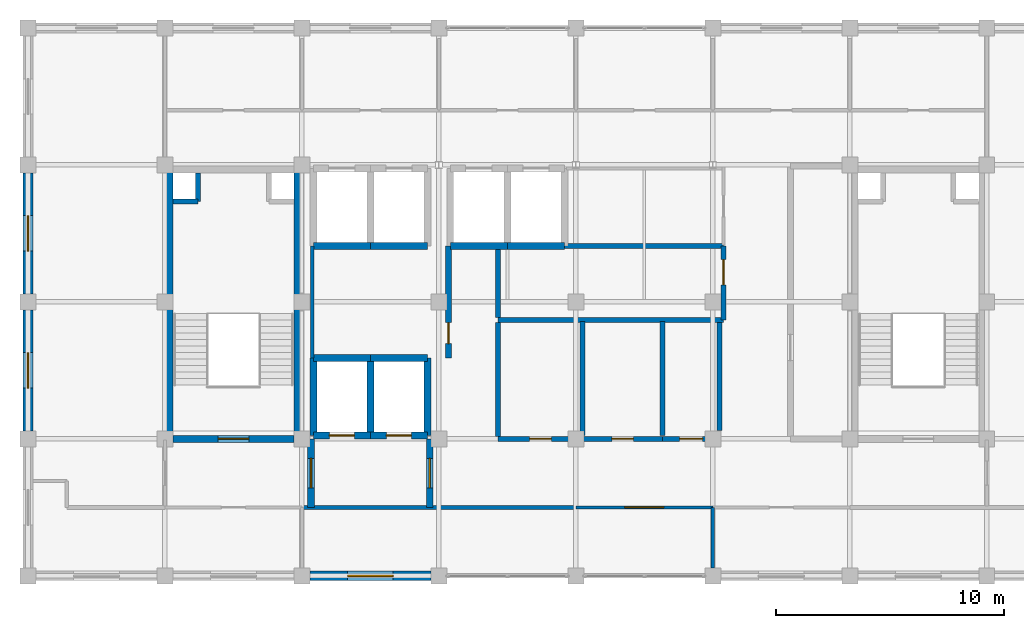
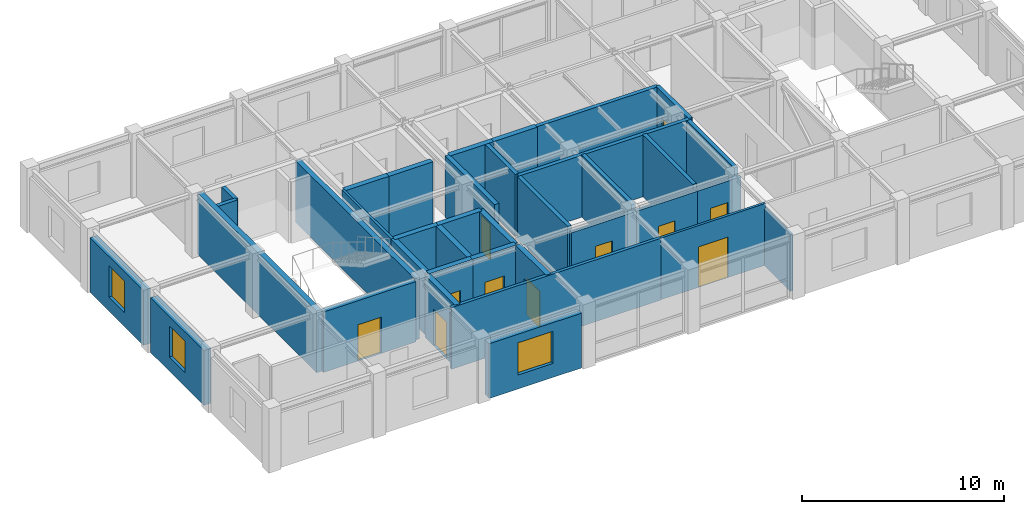
# One storey, part 8 of 11: 37 walls, 11 doors, 3 windows, 14 openings.
"""IFC4 building model written with IfcOpenShell, lengths in metres."""

import ifcopenshell
import ifcopenshell.guid

model = None  # the IFC model being written
_history = None  # IfcOwnerHistory: only IFC2X3 demands one
_inside = {}  # id of a spatial element -> (the spatial element, [elements in it])
_under = {}  # id of a project, library or spatial element -> (it, [spatial elements below it])
_declared = {}  # id of a project -> (the project, [libraries it declares])
_typed = {}  # id of a type object -> (the type object, [elements of that type])
_made_of = {}  # id of a material, layer set ... -> (it, [elements and type objects made of it])


def new_model(schema):
    """Start an empty IFC model of exactly this schema.

    Asked for "IFC4X3", IfcOpenShell would pick the latest addendum, in which some entities
    have other attributes; the version numbers below select the first issue.
    IFC2X3 requires an IfcOwnerHistory on every rooted entity: one is made here for all.
    """
    global model, _history
    if schema == "IFC4X3":
        model = ifcopenshell.file(schema_version=(4, 3, 0, 0))
    else:
        model = ifcopenshell.file(schema=schema)
    _inside.clear()
    _under.clear()
    _declared.clear()
    _typed.clear()
    _made_of.clear()
    _history = None
    if model.schema == "IFC2X3":
        org = make("IfcOrganization", Name="unknown")
        user = make(
            "IfcPersonAndOrganization",
            ThePerson=make("IfcPerson", FamilyName="unknown"),
            TheOrganization=org,
        )
        app = make(
            "IfcApplication",
            ApplicationDeveloper=org,
            Version="unknown",
            ApplicationFullName="unknown",
            ApplicationIdentifier="unknown",
        )
        _history = make(
            "IfcOwnerHistory",
            OwningUser=user,
            OwningApplication=app,
            ChangeAction="ADDED",
            CreationDate=0,
        )
    return model


def make(cls, **values):
    """One entity of the class cls with the attributes given. An attribute that is None is left unset."""
    return model.create_entity(
        cls, **{name: value for name, value in values.items() if value is not None}
    )


def rooted(cls, **values):
    """An entity with a GlobalId (a new one), such as an element, a storey or a relation."""
    return make(cls, GlobalId=ifcopenshell.guid.new(), OwnerHistory=_history, **values)


def si_unit(unit_type, name, prefix=None):
    """IfcSIUnit, for example si_unit("LENGTHUNIT", "METRE", prefix="MILLI")."""
    return make("IfcSIUnit", UnitType=unit_type, Prefix=prefix, Name=name)


def assignment(units):
    """IfcUnitAssignment: the units of a project."""
    return None if units is None else make("IfcUnitAssignment", Units=units)


def point(xyz):
    """IfcCartesianPoint."""
    return None if xyz is None else make("IfcCartesianPoint", Coordinates=xyz)


def direction(xyz):
    """IfcDirection."""
    return None if xyz is None else make("IfcDirection", DirectionRatios=xyz)


def frame(location, z_axis=None, x_axis=None):
    """IfcAxis2Placement3D, a coordinate frame: its origin and axes. An axis left out is left unset."""
    return make(
        "IfcAxis2Placement3D",
        Location=point(location),
        Axis=direction(z_axis),
        RefDirection=direction(x_axis),
    )


def frame_2d(location, x_axis=None):
    """IfcAxis2Placement2D, a coordinate frame in the plane: its origin and x axis."""
    return make(
        "IfcAxis2Placement2D", Location=point(location), RefDirection=direction(x_axis)
    )


def origin():
    """The frame at (0, 0, 0) with its axes left unset."""
    return frame((0.0, 0.0, 0.0))


def place(relative_to, where):
    """IfcLocalPlacement: puts the frame where relative to a parent placement (None: the world)."""
    return make(
        "IfcLocalPlacement", PlacementRelTo=relative_to, RelativePlacement=where
    )


def context(
    kind, dimensions, precision=None, world=None, true_north=None, identifier=None
):
    """IfcGeometricRepresentationContext, for example the 3D "Model" context."""
    return make(
        "IfcGeometricRepresentationContext",
        ContextIdentifier=identifier,
        ContextType=kind,
        CoordinateSpaceDimension=dimensions,
        Precision=precision,
        WorldCoordinateSystem=world,
        TrueNorth=true_north,
    )


def subcontext(parent, identifier, kind, view, scale=None):
    """IfcGeometricRepresentationSubContext, for example "Body" below "Model"."""
    return make(
        "IfcGeometricRepresentationSubContext",
        ContextIdentifier=identifier,
        ContextType=kind,
        ParentContext=parent,
        TargetScale=scale,
        TargetView=view,
    )


def project(units=None, contexts=None):
    """IfcProject with its units and contexts."""
    return rooted(
        "IfcProject",
        Name="project",
        RepresentationContexts=contexts,
        UnitsInContext=assignment(units),
    )


def spatial(cls, under=None, at=None, **own):
    """A site, building, storey or space (cls), placed at a placement, below another one or the project."""
    s = rooted(cls, ObjectPlacement=at, **own)
    if under is not None:
        _under.setdefault(under.id(), (under, []))[1].append(s)
    return s


def profile(cls, at=None, kind="AREA", **sizes):
    """A parametric profile (cls). Its sizes go by their IFC names, for example OverallWidth=200.0."""
    return make(cls, ProfileType=kind, Position=at, **sizes)


def rectangle(**sizes):
    """IfcRectangleProfileDef."""
    return profile("IfcRectangleProfileDef", **sizes)


def extrude(swept, where, along, depth):
    """IfcExtrudedAreaSolid: the profile swept, set in the frame where, extruded along a direction by depth."""
    return make(
        "IfcExtrudedAreaSolid",
        SweptArea=swept,
        Position=where,
        ExtrudedDirection=direction(along),
        Depth=depth,
    )


def shape(context_of_items, identifier, shape_type, items):
    """IfcShapeRepresentation: the items that make up one representation, for example the "Body"."""
    return make(
        "IfcShapeRepresentation",
        ContextOfItems=context_of_items,
        RepresentationIdentifier=identifier,
        RepresentationType=shape_type,
        Items=items,
    )


def material(Name=None, Category=None):
    """IfcMaterial."""
    return make("IfcMaterial", Name=Name, Category=Category)


def layer(
    of_material, thickness, ventilated=None, Name=None, Category=None, Priority=None
):
    """IfcMaterialLayer: one layer of a wall or slab, of a material (None: an air gap)."""
    return make(
        "IfcMaterialLayer",
        Material=of_material,
        LayerThickness=thickness,
        IsVentilated=ventilated,
        Name=Name,
        Category=Category,
        Priority=Priority,
    )


def layer_set(layers, Name=None):
    """IfcMaterialLayerSet."""
    return make("IfcMaterialLayerSet", MaterialLayers=layers, LayerSetName=Name)


def made_of(thing, what):
    """Note that an element or type object is made of a material, layer set ...; save() writes the relation."""
    if what is not None:
        _made_of.setdefault(what.id(), (what, []))[1].append(thing)
    return thing


def type_object(cls, material=None, **own):
    """A type object (cls), such as IfcWallType, which elements share."""
    return made_of(rooted(cls, **own), material)


def element(
    cls,
    number,
    at=None,
    inside=None,
    cuts=None,
    type_object=None,
    material=None,
    context=None,
    identifier="Body",
    shape_type=None,
    held_by="IfcProductDefinitionShape",
    body=None,
    shapes=None,
    **own,
):
    """One element of the class cls, such as IfcWall. Its Tag is "e" and its number.

    at: its placement. inside: the storey or other place that contains it. cuts: it is an
    opening in that element (IfcRelVoidsElement). A single representation is given by context,
    identifier, shape_type and body (its items); several are given by shapes. held_by: the class
    of the entity that holds the representations. save() writes the other relations.
    """
    e = rooted(cls, Tag="e%d" % number, ObjectPlacement=at, **own)
    if body is not None:
        shapes = [shape(context, identifier, shape_type, body)]
    if shapes is not None:
        e.Representation = make(held_by, Representations=shapes)
    if inside is not None:
        _inside.setdefault(inside.id(), (inside, []))[1].append(e)
    if cuts is not None:
        rooted(
            "IfcRelVoidsElement", RelatingBuildingElement=cuts, RelatedOpeningElement=e
        )
    if type_object is not None:
        _typed.setdefault(type_object.id(), (type_object, []))[1].append(e)
    return made_of(e, material)


def fill(opening, filler):
    """IfcRelFillsElement: the door or window that sits in an opening."""
    return rooted(
        "IfcRelFillsElement",
        RelatingOpeningElement=opening,
        RelatedBuildingElement=filler,
    )


def aggregate(whole, parts):
    """IfcRelAggregates: a whole, such as a stair, and the parts it consists of."""
    return rooted("IfcRelAggregates", RelatingObject=whole, RelatedObjects=parts)


def save(model, path):
    """Write the relations noted so far, then the file.

    IfcRelAggregates (storeys below a building ...), IfcRelContainedInSpatialStructure (elements
    in a storey), IfcRelDefinesByType, IfcRelAssociatesMaterial and IfcRelDeclares: one each for
    every whole, place, type object, material and project.
    """
    for whole, parts in _under.values():
        aggregate(whole, parts)
    for where, things in _inside.values():
        rooted(
            "IfcRelContainedInSpatialStructure",
            RelatedElements=things,
            RelatingStructure=where,
        )
    for kind, things in _typed.values():
        rooted("IfcRelDefinesByType", RelatedObjects=things, RelatingType=kind)
    for what, things in _made_of.values():
        rooted("IfcRelAssociatesMaterial", RelatedObjects=things, RelatingMaterial=what)
    for by, libraries in _declared.values():
        rooted("IfcRelDeclares", RelatingContext=by, RelatedDefinitions=libraries)
    model.write(path)


model = new_model("IFC4")

# Units and contexts
model_context = context("Model", 3, precision=1e-05, world=origin(), true_north=direction((0.0, 1.0)))
body_context = subcontext(model_context, "Body", "Model", "MODEL_VIEW")
ifc_project = project(units=[si_unit("LENGTHUNIT", "METRE"), si_unit("AREAUNIT", "SQUARE_METRE"), si_unit("VOLUMEUNIT", "CUBIC_METRE"), si_unit("PLANEANGLEUNIT", "RADIAN"), si_unit("MASSUNIT", "GRAM", prefix="KILO")], contexts=[model_context])

# Site, building, storey
site_placement = place(None, origin())
site = spatial("IfcSite", under=ifc_project, at=site_placement, CompositionType="ELEMENT")
building_placement = place(site_placement, origin())
building = spatial("IfcBuilding", under=site, at=building_placement, Name="Zlatovratsky Civic Hall", CompositionType="ELEMENT")
storey_placement = place(building_placement, frame((0.0, 0.0, 60.0)))
storey = spatial("IfcBuildingStorey", under=building, at=storey_placement, Name="L15", CompositionType="ELEMENT", Elevation=60.0)

# Wall
ifc_material_1 = material(Name="Acoustic ceramic blockwork", Category="masonry")
ifc_layer_1 = layer(ifc_material_1, 0.179931640625)
ifc_layer_set_1 = layer_set([ifc_layer_1], Name="Acoustic ceramic blockwork")
wall_type_1 = type_object("IfcWallType", Name="Wall_AcousticChamberPartition_180", PredefinedType="PARTITIONING", material=ifc_layer_set_1)
wall_1_placement = place(storey_placement, frame((72.0, 81.0, 0.0), z_axis=(0.0, 0.0, 1.0), x_axis=(1.0, 0.0, 0.0)))
element("IfcWall", 1, at=wall_1_placement, inside=storey, type_object=wall_type_1, Name="WL-6725", PredefinedType="PARTITIONING", context=body_context, shape_type="SweptSolid", body=[
    extrude(rectangle(XDim=12.0, YDim=0.179931640625, at=frame_2d((6.0, 0.0))), origin(), (0.0, 0.0, 1.0), 3.739990234375),
])

# Wall, opening, door
ifc_layer_2 = layer(ifc_material_1, 0.260009765625)
ifc_layer_set_2 = layer_set([ifc_layer_2], Name="Acoustic ceramic blockwork")
wall_type_2 = type_object("IfcWallType", Name="Wall_ArchiveCompartment_260", PredefinedType="PARTITIONING", material=ifc_layer_set_2)
wall_2_placement = place(storey_placement, frame((78.419921875, 87.550048828125, 0.0), z_axis=(0.0, 0.0, 1.0), x_axis=(0.0, 1.0, 0.0)))
wall_2 = element("IfcWall", 2, at=wall_2_placement, inside=storey, type_object=wall_type_2, Name="WL-6703", PredefinedType="PARTITIONING", context=body_context, shape_type="SweptSolid", body=[
    extrude(rectangle(XDim=4.89990234375, YDim=0.260009765625, at=frame_2d((2.449951171875, 0.0))), origin(), (0.0, 0.0, 1.0), 3.739990234375),
])
opening_1_placement = place(wall_2_placement, frame((0.617919921875, 0.0, 0.0)))
opening_1 = element("IfcOpeningElement", 3, at=opening_1_placement, cuts=wall_2, Name="Opening D-23", PredefinedType="OPENING", context=body_context, shape_type="SweptSolid", body=[
    extrude(rectangle(XDim=0.919921875, YDim=2.14990234375, at=frame_2d((0.4599609375, 1.074951171875))), frame((0.0, 0.14501953125, 0.0), z_axis=(0.0, -1.0, 0.0), x_axis=(1.0, 0.0, 0.0)), (0.0, 0.0, 1.0), 0.289794921875),
])
ifc_material_2 = material(Name="Solid oak joinery in steel frame", Category="steel")
door_type_1 = type_object("IfcDoorType", Name="Door_OfficeStandard_920x2150", OperationType="NOTDEFINED", PredefinedType="DOOR", material=ifc_material_2)
door_1_placement = place(opening_1_placement, origin())
door_1 = element("IfcDoor", 4, at=door_1_placement, inside=storey, type_object=door_type_1, Name="DR-5527", OperationType="SINGLE_SWING_LEFT", OverallHeight=2.14990234375, OverallWidth=0.919921875, PredefinedType="DOOR", context=body_context, shape_type="SweptSolid", body=[
    extrude(rectangle(XDim=0.919921875, YDim=2.14990234375, at=frame_2d((0.4599609375, 1.074951171875))), frame((0.0, 0.02490234375, 0.0), z_axis=(0.0, -1.0, 0.0), x_axis=(1.0, 0.0, 0.0)), (0.0, 0.0, 1.0), 0.050048828125),
])
fill(opening_1, door_1)

ifc_material_3 = material(Name="Fire-rated gypsum board framing", Category="gypsum")
ifc_layer_3 = layer(ifc_material_3, 0.139892578125)
ifc_layer_set_3 = layer_set([ifc_layer_3], Name="Fire-rated gypsum board framing")
wall_type_3 = type_object("IfcWallType", Name="Wall_OfficePartition_140", PredefinedType="PARTITIONING", material=ifc_layer_set_3)
wall_3_placement = place(storey_placement, frame((84.0, 81.0, 0.0), z_axis=(0.0, 0.0, 1.0), x_axis=(1.0, 0.0, 0.0)))
wall_3 = element("IfcWall", 5, at=wall_3_placement, inside=storey, type_object=wall_type_3, Name="WL-6701", PredefinedType="PARTITIONING", context=body_context, shape_type="SweptSolid", body=[
    extrude(rectangle(XDim=6.0, YDim=0.139892578125, at=frame_2d((3.0, 0.0))), origin(), (0.0, 0.0, 1.0), 3.739990234375),
])
opening_2_placement = place(wall_3_placement, frame((2.14990234375, 0.0, 0.0)))
opening_2 = element("IfcOpeningElement", 6, at=opening_2_placement, cuts=wall_3, Name="Opening D-26", PredefinedType="OPENING", context=body_context, shape_type="SweptSolid", body=[
    extrude(rectangle(XDim=1.699951171875, YDim=2.449951171875, at=frame_2d((0.85009765625, 1.22509765625))), frame((0.0, 0.0849609375, 0.0), z_axis=(0.0, -1.0, 0.0), x_axis=(1.0, 0.0, 0.0)), (0.0, 0.0, 1.0), 0.169677734375),
])
door_type_2 = type_object("IfcDoorType", Name="Door_CommissionBoardroom_1700x2450", OperationType="DOUBLE_DOOR_SINGLE_SWING", PredefinedType="DOOR", material=ifc_material_2)
door_2_placement = place(opening_2_placement, origin())
door_2 = element("IfcDoor", 7, at=door_2_placement, inside=storey, type_object=door_type_2, Name="DR-5525", OperationType="DOUBLE_DOOR_SINGLE_SWING", OverallHeight=2.449951171875, OverallWidth=1.699951171875, PredefinedType="DOOR", context=body_context, shape_type="SweptSolid", body=[
    extrude(rectangle(XDim=1.699951171875, YDim=2.449951171875, at=frame_2d((0.85009765625, 1.22509765625))), frame((0.0, 0.02490234375, 0.0), z_axis=(0.0, -1.0, 0.0), x_axis=(1.0, 0.0, 0.0)), (0.0, 0.0, 1.0), 0.050048828125),
])
fill(opening_2, door_2)

# Walls
wall_4_placement = place(storey_placement, frame((90.0, 78.35009765625, 0.0), z_axis=(0.0, 0.0, 1.0), x_axis=(0.0, 1.0, 0.0)))
element("IfcWall", 8, at=wall_4_placement, inside=storey, type_object=wall_type_3, Name="WL-6712", PredefinedType="PARTITIONING", context=body_context, shape_type="SweptSolid", body=[
    extrude(rectangle(XDim=2.64990234375, YDim=0.139892578125, at=frame_2d((1.324951171875, 0.0))), origin(), (0.0, 0.0, 1.0), 3.448974609375),
])
wall_5_placement = place(storey_placement, frame((72.449951171875, 87.550048828125, 0.0), z_axis=(0.0, 0.0, 1.0), x_axis=(0.0, 1.0, 0.0)))
element("IfcWall", 9, at=wall_5_placement, inside=storey, type_object=wall_type_3, Name="WL-6713", PredefinedType="PARTITIONING", context=body_context, shape_type="SweptSolid", body=[
    extrude(rectangle(XDim=4.89990234375, YDim=0.139892578125, at=frame_2d((2.449951171875, 0.0))), origin(), (0.0, 0.0, 1.0), 3.739990234375),
])
ifc_layer_4 = layer(ifc_material_1, 0.219970703125)
ifc_layer_set_4 = layer_set([ifc_layer_4], Name="Acoustic ceramic blockwork")
wall_type_4 = type_object("IfcWallType", Name="Wall_SanitaryWetCore_220", PredefinedType="PARTITIONING", material=ifc_layer_set_4)
wall_6_placement = place(storey_placement, frame((67.449951171875, 94.39990234375, 0.0), z_axis=(0.0, 0.0, 1.0), x_axis=(0.0, 1.0, 0.0)))
element("IfcWall", 10, at=wall_6_placement, inside=storey, type_object=wall_type_4, Name="WL-5125", PredefinedType="PARTITIONING", context=body_context, shape_type="SweptSolid", body=[
    extrude(rectangle(XDim=1.25, YDim=0.219970703125, at=frame_2d((0.625, 0.0))), origin(), (0.0, 0.0, 1.0), 3.739990234375),
])
wall_7_placement = place(storey_placement, frame((66.35009765625, 94.39990234375, 0.0), z_axis=(0.0, 0.0, 1.0), x_axis=(1.0, 0.0, 0.0)))
element("IfcWall", 11, at=wall_7_placement, inside=storey, type_object=wall_type_4, Name="WL-5126", PredefinedType="PARTITIONING", context=body_context, shape_type="SweptSolid", body=[
    extrude(rectangle(XDim=1.099853515625, YDim=0.219970703125, at=frame_2d((0.5498046875, 0.0))), origin(), (0.0, 0.0, 1.0), 3.739990234375),
])

# Wall, opening, door
wall_8_placement = place(storey_placement, frame((80.60009765625, 84.0, 0.0), z_axis=(0.0, 0.0, 1.0), x_axis=(1.0, 0.0, 0.0)))
wall_8 = element("IfcWall", 12, at=wall_8_placement, inside=storey, type_object=wall_type_4, Name="WL-6691", PredefinedType="PARTITIONING", context=body_context, shape_type="SweptSolid", body=[
    extrude(rectangle(XDim=3.699951171875, YDim=0.219970703125, at=frame_2d((1.85009765625, 0.0))), origin(), (0.0, 0.0, 1.0), 3.448974609375),
])
opening_3_placement = place(wall_8_placement, frame((1.375, 0.0, 0.0)))
opening_3 = element("IfcOpeningElement", 13, at=opening_3_placement, cuts=wall_8, Name="Opening D-21", PredefinedType="OPENING", context=body_context, shape_type="SweptSolid", body=[
    extrude(rectangle(XDim=0.949951171875, YDim=2.14990234375, at=frame_2d((0.47509765625, 1.074951171875))), frame((0.0, 0.125, 0.0), z_axis=(0.0, -1.0, 0.0), x_axis=(1.0, 0.0, 0.0)), (0.0, 0.0, 1.0), 0.249755859375),
])
door_type_3 = type_object("IfcDoorType", Name="Door_MensWC_950x2150", OperationType="NOTDEFINED", PredefinedType="DOOR", material=ifc_material_2)
door_3_placement = place(opening_3_placement, origin())
door_3 = element("IfcDoor", 14, at=door_3_placement, inside=storey, type_object=door_type_3, Name="DR-5518", OperationType="SINGLE_SWING_LEFT", OverallHeight=2.14990234375, OverallWidth=0.949951171875, PredefinedType="DOOR", context=body_context, shape_type="SweptSolid", body=[
    extrude(rectangle(XDim=0.949951171875, YDim=2.14990234375, at=frame_2d((0.47509765625, 1.074951171875))), frame((0.0, 0.02490234375, 0.0), z_axis=(0.0, -1.0, 0.0), x_axis=(1.0, 0.0, 0.0)), (0.0, 0.0, 1.0), 0.050048828125),
])
fill(opening_3, door_3)

wall_9_placement = place(storey_placement, frame((84.300048828125, 84.0, 0.0), z_axis=(0.0, 0.0, 1.0), x_axis=(1.0, 0.0, 0.0)))
wall_9 = element("IfcWall", 15, at=wall_9_placement, inside=storey, type_object=wall_type_4, Name="WL-6692", PredefinedType="PARTITIONING", context=body_context, shape_type="SweptSolid", body=[
    extrude(rectangle(XDim=3.5, YDim=0.219970703125, at=frame_2d((1.75, 0.0))), origin(), (0.0, 0.0, 1.0), 3.448974609375),
])
opening_4_placement = place(wall_9_placement, frame((1.27490234375, 0.0, 0.0)))
opening_4 = element("IfcOpeningElement", 16, at=opening_4_placement, cuts=wall_9, Name="Opening D-22", PredefinedType="OPENING", context=body_context, shape_type="SweptSolid", body=[
    extrude(rectangle(XDim=0.949951171875, YDim=2.10009765625, at=frame_2d((0.47509765625, 1.050048828125))), frame((0.0, 0.125, 0.0), z_axis=(0.0, -1.0, 0.0), x_axis=(1.0, 0.0, 0.0)), (0.0, 0.0, 1.0), 0.249755859375),
])
door_type_4 = type_object("IfcDoorType", Name="Door_WomensWC_950x2100", OperationType="NOTDEFINED", PredefinedType="DOOR", material=ifc_material_2)
door_4_placement = place(opening_4_placement, origin())
door_4 = element("IfcDoor", 17, at=door_4_placement, inside=storey, type_object=door_type_4, Name="DR-5519", OperationType="SINGLE_SWING_RIGHT", OverallHeight=2.10009765625, OverallWidth=0.949951171875, PredefinedType="DOOR", context=body_context, shape_type="SweptSolid", body=[
    extrude(rectangle(XDim=0.949951171875, YDim=2.10009765625, at=frame_2d((0.47509765625, 1.050048828125))), frame((0.0, 0.02490234375, 0.0), z_axis=(0.0, -1.0, 0.0), x_axis=(1.0, 0.0, 0.0)), (0.0, 0.0, 1.0), 0.050048828125),
])
fill(opening_4, door_4)

wall_10_placement = place(storey_placement, frame((87.800048828125, 84.0, 0.0), z_axis=(0.0, 0.0, 1.0), x_axis=(1.0, 0.0, 0.0)))
wall_10 = element("IfcWall", 18, at=wall_10_placement, inside=storey, type_object=wall_type_4, Name="WL-6693", PredefinedType="PARTITIONING", context=body_context, shape_type="SweptSolid", body=[
    extrude(rectangle(XDim=2.5, YDim=0.219970703125, at=frame_2d((1.25, 0.0))), origin(), (0.0, 0.0, 1.0), 3.448974609375),
])
opening_5_placement = place(wall_10_placement, frame((0.75, 0.0, 0.0)))
opening_5 = element("IfcOpeningElement", 19, at=opening_5_placement, cuts=wall_10, Name="Opening D-20", PredefinedType="OPENING", context=body_context, shape_type="SweptSolid", body=[
    extrude(rectangle(XDim=1.0, YDim=2.14990234375, at=frame_2d((0.5, 1.074951171875))), frame((0.0, 0.125, 0.0), z_axis=(0.0, -1.0, 0.0), x_axis=(1.0, 0.0, 0.0)), (0.0, 0.0, 1.0), 0.249755859375),
])
door_type_5 = type_object("IfcDoorType", Name="Door_AccessibleWC_1000x2150", OperationType="NOTDEFINED", PredefinedType="DOOR", material=ifc_material_2)
door_5_placement = place(opening_5_placement, origin())
door_5 = element("IfcDoor", 20, at=door_5_placement, inside=storey, type_object=door_type_5, Name="DR-5520", OperationType="SINGLE_SWING_LEFT", OverallHeight=2.14990234375, OverallWidth=1.0, PredefinedType="DOOR", context=body_context, shape_type="SweptSolid", body=[
    extrude(rectangle(XDim=1.0, YDim=2.14990234375, at=frame_2d((0.5, 1.074951171875))), frame((0.0, 0.02490234375, 0.0), z_axis=(0.0, -1.0, 0.0), x_axis=(1.0, 0.0, 0.0)), (0.0, 0.0, 1.0), 0.050048828125),
])
fill(opening_5, door_5)

# Walls
for number, where, z_axis, x_axis, name in (
    (21, (84.300048828125, 84.14990234375, 0.0), (0.0, 0.0, 1.0), (0.0, 1.0, 0.0), "WL-6694"),
    (22, (87.800048828125, 84.14990234375, 0.0), (0.0, 0.0, 1.0), (0.0, 1.0, 0.0), "WL-6695"),
):
    element("IfcWall", number, at=place(storey_placement, frame(where, z_axis=z_axis, x_axis=x_axis)), inside=storey, type_object=wall_type_4, Name=name, PredefinedType="PARTITIONING", context=body_context, shape_type="SweptSolid", body=[
        extrude(rectangle(XDim=5.0, YDim=0.219970703125, at=frame_2d((2.5, 0.0))), origin(), (0.0, 0.0, 1.0), 3.739990234375),
    ])
wall_11_placement = place(storey_placement, frame((80.60009765625, 89.199951171875, 0.0), z_axis=(0.0, 0.0, 1.0), x_axis=(1.0, 0.0, 0.0)))
element("IfcWall", 23, at=wall_11_placement, inside=storey, type_object=wall_type_4, Name="WL-6696", PredefinedType="PARTITIONING", context=body_context, shape_type="SweptSolid", body=[
    extrude(rectangle(XDim=9.869873046875, YDim=0.219970703125, at=frame_2d((4.93505859375, 0.0))), origin(), (0.0, 0.0, 1.0), 3.739990234375),
])

# Wall, opening, door
wall_12_placement = place(storey_placement, frame((90.469970703125, 89.199951171875, 0.0), z_axis=(0.0, 0.0, 1.0), x_axis=(0.0, 1.0, 0.0)))
wall_12 = element("IfcWall", 24, at=wall_12_placement, inside=storey, type_object=wall_type_4, Name="WL-6697", PredefinedType="PARTITIONING", context=body_context, shape_type="SweptSolid", body=[
    extrude(rectangle(XDim=3.25, YDim=0.219970703125, at=frame_2d((1.625, 0.0))), origin(), (0.0, 0.0, 1.0), 3.739990234375),
])
opening_6_placement = place(wall_12_placement, frame((1.550048828125, 0.0, 0.0)))
opening_6 = element("IfcOpeningElement", 25, at=opening_6_placement, cuts=wall_12, Name="Opening D-30", PredefinedType="OPENING", context=body_context, shape_type="SweptSolid", body=[
    extrude(rectangle(XDim=1.10009765625, YDim=2.14990234375, at=frame_2d((0.550048828125, 1.074951171875))), frame((0.0, 0.125, 0.0), z_axis=(0.0, -1.0, 0.0), x_axis=(1.0, 0.0, 0.0)), (0.0, 0.0, 1.0), 0.249755859375),
])
ifc_material_4 = material(Name="Insulated painted fire-rated steel leaf", Category="steel")
door_type_6 = type_object("IfcDoorType", Name="Door_ElectricalRoom_1100x2150", OperationType="NOTDEFINED", PredefinedType="DOOR", material=ifc_material_4)
door_6_placement = place(opening_6_placement, origin())
door_6 = element("IfcDoor", 26, at=door_6_placement, inside=storey, type_object=door_type_6, Name="DR-5521", OperationType="SINGLE_SWING_RIGHT", OverallHeight=2.14990234375, OverallWidth=1.10009765625, PredefinedType="DOOR", context=body_context, shape_type="SweptSolid", body=[
    extrude(rectangle(XDim=1.10009765625, YDim=2.14990234375, at=frame_2d((0.550048828125, 1.074951171875))), frame((0.0, 0.02490234375, 0.0), z_axis=(0.0, -1.0, 0.0), x_axis=(1.0, 0.0, 0.0)), (0.0, 0.0, 1.0), 0.050048828125),
])
fill(opening_6, door_6)

# Walls
wall_13_placement = place(storey_placement, frame((80.60009765625, 84.110107421875, 0.0), z_axis=(0.0, 0.0, 1.0), x_axis=(0.0, 1.0, 0.0)))
element("IfcWall", 27, at=wall_13_placement, inside=storey, type_object=wall_type_4, Name="WL-6720", PredefinedType="PARTITIONING", context=body_context, shape_type="SweptSolid", body=[
    extrude(rectangle(XDim=4.97998046875, YDim=0.219970703125, at=frame_2d((2.489990234375, 0.0))), origin(), (0.0, 0.0, 1.0), 3.739990234375),
])
wall_14_placement = place(storey_placement, frame((90.300048828125, 84.360107421875, 0.0), z_axis=(0.0, 0.0, 1.0), x_axis=(0.0, 1.0, 0.0)))
element("IfcWall", 28, at=wall_14_placement, inside=storey, type_object=wall_type_4, Name="WL-6721", PredefinedType="PARTITIONING", context=body_context, shape_type="SweptSolid", body=[
    extrude(rectangle(XDim=4.72998046875, YDim=0.219970703125, at=frame_2d((2.364990234375, 0.0))), origin(), (0.0, 0.0, 1.0), 3.739990234375),
])
wall_15_placement = place(storey_placement, frame((80.60009765625, 89.31005859375, 0.0), z_axis=(0.0, 0.0, 1.0), x_axis=(0.0, 1.0, 0.0)))
element("IfcWall", 29, at=wall_15_placement, inside=storey, type_object=wall_type_4, Name="WL-6722", PredefinedType="PARTITIONING", context=body_context, shape_type="SweptSolid", body=[
    extrude(rectangle(XDim=2.989990234375, YDim=0.219970703125, at=frame_2d((1.4951171875, 0.0))), origin(), (0.0, 0.0, 1.0), 3.739990234375),
])
wall_16_placement = place(storey_placement, frame((83.5, 92.449951171875, 0.0), z_axis=(0.0, 0.0, 1.0), x_axis=(1.0, 0.0, 0.0)))
element("IfcWall", 30, at=wall_16_placement, inside=storey, type_object=wall_type_4, Name="WL-6723", PredefinedType="PARTITIONING", context=body_context, shape_type="SweptSolid", body=[
    extrude(rectangle(XDim=6.969970703125, YDim=0.219970703125, at=frame_2d((3.48486328125, 0.0))), origin(), (0.0, 0.0, 1.0), 3.739990234375),
])

# Wall, opening, door
ifc_material_5 = material(Name="Concrete C35/45 (B40)", Category="concrete")
ifc_layer_5 = layer(ifc_material_5, 0.300048828125)
ifc_layer_set_5 = layer_set([ifc_layer_5], Name="Concrete C35/45 (B40)")
wall_type_5 = type_object("IfcWallType", Name="Wall_StairAndLiftShaft_300", PredefinedType="SHEAR", material=ifc_layer_set_5)
wall_17_placement = place(storey_placement, frame((66.35009765625, 84.0, 0.0), z_axis=(0.0, 0.0, 1.0), x_axis=(1.0, 0.0, 0.0)))
wall_17 = element("IfcWall", 31, at=wall_17_placement, inside=storey, type_object=wall_type_5, Name="WL-5121", PredefinedType="SHEAR", context=body_context, shape_type="SweptSolid", body=[
    extrude(rectangle(XDim=5.2998046875, YDim=0.300048828125, at=frame_2d((2.64990234375, 0.0))), origin(), (0.0, 0.0, 1.0), 3.659912109375),
])
opening_7_placement = place(wall_17_placement, frame((1.97509765625, 0.0, 0.0)))
opening_7 = element("IfcOpeningElement", 32, at=opening_7_placement, cuts=wall_17, Name="Opening D-17", PredefinedType="OPENING", context=body_context, shape_type="SweptSolid", body=[
    extrude(rectangle(XDim=1.35009765625, YDim=2.199951171875, at=frame_2d((0.675048828125, 1.10009765625))), frame((0.0, 0.1650390625, 0.0), z_axis=(0.0, -1.0, 0.0), x_axis=(1.0, 0.0, 0.0)), (0.0, 0.0, 1.0), 0.329833984375),
])
door_type_7 = type_object("IfcDoorType", Name="Door_StairwellFireTower_1350x2200", OperationType="NOTDEFINED", PredefinedType="DOOR", material=ifc_material_4)
door_7_placement = place(opening_7_placement, origin())
door_7 = element("IfcDoor", 33, at=door_7_placement, inside=storey, type_object=door_type_7, Name="DR-5016", OperationType="SINGLE_SWING_LEFT", OverallHeight=2.199951171875, OverallWidth=1.35009765625, PredefinedType="DOOR", context=body_context, shape_type="SweptSolid", body=[
    extrude(rectangle(XDim=1.35009765625, YDim=2.199951171875, at=frame_2d((0.675048828125, 1.10009765625))), frame((0.0, 0.02490234375, 0.0), z_axis=(0.0, -1.0, 0.0), x_axis=(1.0, 0.0, 0.0)), (0.0, 0.0, 1.0), 0.050048828125),
])
fill(opening_7, door_7)

# Walls
for number, where, z_axis, x_axis, name in (
    (34, (66.199951171875, 84.0, 0.0), (0.0, 0.0, 1.0), (0.0, 1.0, 0.0), "WL-5123"),
    (35, (71.800048828125, 84.0, 0.0), (0.0, 0.0, 1.0), (0.0, 1.0, 0.0), "WL-5124"),
):
    element("IfcWall", number, at=place(storey_placement, frame(where, z_axis=z_axis, x_axis=x_axis)), inside=storey, type_object=wall_type_5, Name=name, PredefinedType="SHEAR", context=body_context, shape_type="SweptSolid", body=[
        extrude(rectangle(XDim=11.800048828125, YDim=0.300048828125, at=frame_2d((5.89990234375, 0.0))), origin(), (0.0, 0.0, 1.0), 3.739990234375),
    ])

# Wall, opening, door
wall_18_placement = place(storey_placement, frame((72.5, 84.14990234375, 0.0), z_axis=(0.0, 0.0, 1.0), x_axis=(1.0, 0.0, 0.0)))
wall_18 = element("IfcWall", 36, at=wall_18_placement, inside=storey, type_object=wall_type_5, Name="WL-5538", PredefinedType="SHEAR", context=body_context, shape_type="SweptSolid", body=[
    extrude(rectangle(XDim=2.5, YDim=0.300048828125, at=frame_2d((1.25, 0.0))), origin(), (0.0, 0.0, 1.0), 3.739990234375),
])
opening_8_placement = place(wall_18_placement, frame((0.699951171875, 0.0, 0.0)))
opening_8 = element("IfcOpeningElement", 37, at=opening_8_placement, cuts=wall_18, Name="Opening LD-01", PredefinedType="OPENING", context=body_context, shape_type="SweptSolid", body=[
    extrude(rectangle(XDim=1.10009765625, YDim=2.10009765625, at=frame_2d((0.550048828125, 1.050048828125))), frame((0.0, 0.1650390625, 0.0), z_axis=(0.0, -1.0, 0.0), x_axis=(1.0, 0.0, 0.0)), (0.0, 0.0, 1.0), 0.329833984375),
])
ifc_material_6 = material(Name="Brushed stainless steel AISI 304", Category="steel")
door_type_8 = type_object("IfcDoorType", Name="Door_LiftLandingFire_1100x2100", OperationType="DOUBLE_DOOR_SLIDING", PredefinedType="DOOR", material=ifc_material_6)
door_8_placement = place(opening_8_placement, origin())
door_8 = element("IfcDoor", 38, at=door_8_placement, inside=storey, type_object=door_type_8, Name="Lift landing door LD-5074", OperationType="DOUBLE_DOOR_SLIDING", OverallHeight=2.10009765625, OverallWidth=1.10009765625, PredefinedType="DOOR", context=body_context, shape_type="SweptSolid", body=[
    extrude(rectangle(XDim=1.10009765625, YDim=2.10009765625, at=frame_2d((0.550048828125, 1.050048828125))), frame((0.0, 0.02490234375, 0.0), z_axis=(0.0, -1.0, 0.0), x_axis=(1.0, 0.0, 0.0)), (0.0, 0.0, 1.0), 0.050048828125),
])
fill(opening_8, door_8)

# Walls
wall_19_placement = place(storey_placement, frame((72.5, 87.550048828125, 0.0), z_axis=(0.0, 0.0, 1.0), x_axis=(1.0, 0.0, 0.0)))
element("IfcWall", 39, at=wall_19_placement, inside=storey, type_object=wall_type_5, Name="WL-5539", PredefinedType="SHEAR", context=body_context, shape_type="SweptSolid", body=[
    extrude(rectangle(XDim=2.5, YDim=0.300048828125, at=frame_2d((1.25, 0.0))), origin(), (0.0, 0.0, 1.0), 3.739990234375),
])
wall_20_placement = place(storey_placement, frame((72.5, 84.14990234375, 0.0), z_axis=(0.0, 0.0, 1.0), x_axis=(0.0, 1.0, 0.0)))
element("IfcWall", 40, at=wall_20_placement, inside=storey, type_object=wall_type_5, Name="WL-5540", PredefinedType="SHEAR", context=body_context, shape_type="SweptSolid", body=[
    extrude(rectangle(XDim=3.400146484375, YDim=0.300048828125, at=frame_2d((1.7001953125, 0.0))), origin(), (0.0, 0.0, 1.0), 3.739990234375),
])

# Wall, opening, door
wall_21_placement = place(storey_placement, frame((75.0, 84.14990234375, 0.0), z_axis=(0.0, 0.0, 1.0), x_axis=(1.0, 0.0, 0.0)))
wall_21 = element("IfcWall", 41, at=wall_21_placement, inside=storey, type_object=wall_type_5, Name="WL-5610", PredefinedType="SHEAR", context=body_context, shape_type="SweptSolid", body=[
    extrude(rectangle(XDim=2.5, YDim=0.300048828125, at=frame_2d((1.25, 0.0))), origin(), (0.0, 0.0, 1.0), 3.739990234375),
])
opening_9_placement = place(wall_21_placement, frame((0.699951171875, 0.0, 0.0)))
opening_9 = element("IfcOpeningElement", 42, at=opening_9_placement, cuts=wall_21, Name="Opening LD-01", PredefinedType="OPENING", context=body_context, shape_type="SweptSolid", body=[
    extrude(rectangle(XDim=1.10009765625, YDim=2.10009765625, at=frame_2d((0.550048828125, 1.050048828125))), frame((0.0, 0.1650390625, 0.0), z_axis=(0.0, -1.0, 0.0), x_axis=(1.0, 0.0, 0.0)), (0.0, 0.0, 1.0), 0.329833984375),
])
door_9_placement = place(opening_9_placement, origin())
door_9 = element("IfcDoor", 43, at=door_9_placement, inside=storey, type_object=door_type_8, Name="Lift landing door LD-5093", OperationType="DOUBLE_DOOR_SLIDING", OverallHeight=2.10009765625, OverallWidth=1.10009765625, PredefinedType="DOOR", context=body_context, shape_type="SweptSolid", body=[
    extrude(rectangle(XDim=1.10009765625, YDim=2.10009765625, at=frame_2d((0.550048828125, 1.050048828125))), frame((0.0, 0.02490234375, 0.0), z_axis=(0.0, -1.0, 0.0), x_axis=(1.0, 0.0, 0.0)), (0.0, 0.0, 1.0), 0.050048828125),
])
fill(opening_9, door_9)

# Walls
wall_22_placement = place(storey_placement, frame((75.0, 87.550048828125, 0.0), z_axis=(0.0, 0.0, 1.0), x_axis=(1.0, 0.0, 0.0)))
element("IfcWall", 44, at=wall_22_placement, inside=storey, type_object=wall_type_5, Name="WL-5611", PredefinedType="SHEAR", context=body_context, shape_type="SweptSolid", body=[
    extrude(rectangle(XDim=2.5, YDim=0.300048828125, at=frame_2d((1.25, 0.0))), origin(), (0.0, 0.0, 1.0), 3.739990234375),
])
for number, where, z_axis, x_axis, name in (
    (45, (75.0, 84.14990234375, 0.0), (0.0, 0.0, 1.0), (0.0, 1.0, 0.0), "WL-5612"),
    (46, (77.5, 84.14990234375, 0.0), (0.0, 0.0, 1.0), (0.0, 1.0, 0.0), "WL-5613"),
):
    element("IfcWall", number, at=place(storey_placement, frame(where, z_axis=z_axis, x_axis=x_axis)), inside=storey, type_object=wall_type_5, Name=name, PredefinedType="SHEAR", context=body_context, shape_type="SweptSolid", body=[
        extrude(rectangle(XDim=3.400146484375, YDim=0.300048828125, at=frame_2d((1.7001953125, 0.0))), origin(), (0.0, 0.0, 1.0), 3.739990234375),
    ])
for number, where, z_axis, x_axis, name in (
    (47, (72.5, 92.449951171875, 0.0), (0.0, 0.0, 1.0), (1.0, 0.0, 0.0), "WL-5672"),
    (48, (75.0, 92.449951171875, 0.0), (0.0, 0.0, 1.0), (1.0, 0.0, 0.0), "WL-5744"),
    (49, (78.5, 92.449951171875, 0.0), (0.0, 0.0, 1.0), (1.0, 0.0, 0.0), "WL-5805"),
    (50, (81.0, 92.449951171875, 0.0), (0.0, 0.0, 1.0), (1.0, 0.0, 0.0), "WL-5877"),
):
    element("IfcWall", number, at=place(storey_placement, frame(where, z_axis=z_axis, x_axis=x_axis)), inside=storey, type_object=wall_type_5, Name=name, PredefinedType="SHEAR", context=body_context, shape_type="SweptSolid", body=[
        extrude(rectangle(XDim=2.5, YDim=0.300048828125, at=frame_2d((1.25, 0.0))), origin(), (0.0, 0.0, 1.0), 3.739990234375),
    ])

# Wall, opening, door
wall_23_placement = place(storey_placement, frame((72.39990234375, 81.0, 0.0), z_axis=(0.0, 0.0, 1.0), x_axis=(0.0, 1.0, 0.0)))
wall_23 = element("IfcWall", 51, at=wall_23_placement, inside=storey, type_object=wall_type_5, Name="WL-6689", PredefinedType="SHEAR", context=body_context, shape_type="SweptSolid", body=[
    extrude(rectangle(XDim=3.0, YDim=0.300048828125, at=frame_2d((1.5, 0.0))), origin(), (0.0, 0.0, 1.0), 3.739990234375),
])
opening_10_placement = place(wall_23_placement, frame((0.85009765625, 0.0, 0.0)))
opening_10 = element("IfcOpeningElement", 52, at=opening_10_placement, cuts=wall_23, Name="Opening D-18", PredefinedType="OPENING", context=body_context, shape_type="SweptSolid", body=[
    extrude(rectangle(XDim=1.300048828125, YDim=2.199951171875, at=frame_2d((0.64990234375, 1.10009765625))), frame((0.0, 0.1650390625, 0.0), z_axis=(0.0, -1.0, 0.0), x_axis=(1.0, 0.0, 0.0)), (0.0, 0.0, 1.0), 0.329833984375),
])
door_type_9 = type_object("IfcDoorType", Name="Door_FireLobbyAirlock_1300x2200", OperationType="NOTDEFINED", PredefinedType="DOOR", material=ifc_material_4)
door_10_placement = place(opening_10_placement, origin())
door_10 = element("IfcDoor", 53, at=door_10_placement, inside=storey, type_object=door_type_9, Name="DR-5516", OperationType="SINGLE_SWING_RIGHT", OverallHeight=2.199951171875, OverallWidth=1.300048828125, PredefinedType="DOOR", context=body_context, shape_type="SweptSolid", body=[
    extrude(rectangle(XDim=1.300048828125, YDim=2.199951171875, at=frame_2d((0.64990234375, 1.10009765625))), frame((0.0, 0.02490234375, 0.0), z_axis=(0.0, -1.0, 0.0), x_axis=(1.0, 0.0, 0.0)), (0.0, 0.0, 1.0), 0.050048828125),
])
fill(opening_10, door_10)

wall_24_placement = place(storey_placement, frame((77.60009765625, 81.0, 0.0), z_axis=(0.0, 0.0, 1.0), x_axis=(0.0, 1.0, 0.0)))
wall_24 = element("IfcWall", 54, at=wall_24_placement, inside=storey, type_object=wall_type_5, Name="WL-6690", PredefinedType="SHEAR", context=body_context, shape_type="SweptSolid", body=[
    extrude(rectangle(XDim=3.0, YDim=0.300048828125, at=frame_2d((1.5, 0.0))), origin(), (0.0, 0.0, 1.0), 3.739990234375),
])
opening_11_placement = place(wall_24_placement, frame((0.85009765625, 0.0, 0.0)))
opening_11 = element("IfcOpeningElement", 55, at=opening_11_placement, cuts=wall_24, Name="Opening D-18", PredefinedType="OPENING", context=body_context, shape_type="SweptSolid", body=[
    extrude(rectangle(XDim=1.300048828125, YDim=2.199951171875, at=frame_2d((0.64990234375, 1.10009765625))), frame((0.0, 0.1650390625, 0.0), z_axis=(0.0, -1.0, 0.0), x_axis=(1.0, 0.0, 0.0)), (0.0, 0.0, 1.0), 0.329833984375),
])
door_11_placement = place(opening_11_placement, origin())
door_11 = element("IfcDoor", 56, at=door_11_placement, inside=storey, type_object=door_type_9, Name="DR-5517", OperationType="SINGLE_SWING_RIGHT", OverallHeight=2.199951171875, OverallWidth=1.300048828125, PredefinedType="DOOR", context=body_context, shape_type="SweptSolid", body=[
    extrude(rectangle(XDim=1.300048828125, YDim=2.199951171875, at=frame_2d((0.64990234375, 1.10009765625))), frame((0.0, 0.02490234375, 0.0), z_axis=(0.0, -1.0, 0.0), x_axis=(1.0, 0.0, 0.0)), (0.0, 0.0, 1.0), 0.050048828125),
])
fill(opening_11, door_11)

# Wall, opening, window
ifc_layer_6 = layer(ifc_material_1, 0.280029296875, Name="Backing")
ifc_material_7 = material(Name="Podolsk limestone ashlar", Category="masonry")
ifc_layer_7 = layer(ifc_material_7, 0.139892578125, Name="Finish")
ifc_layer_set_6 = layer_set([ifc_layer_6, ifc_layer_7], Name="Acoustic ceramic blockwork")
wall_type_6 = type_object("IfcWallType", Name="Wall_TowerLimestoneAshlar_420", PredefinedType="SOLIDWALL", material=ifc_layer_set_6)
wall_25_placement = place(storey_placement, frame((72.35009765625, 78.0, 0.0), z_axis=(0.0, 0.0, 1.0), x_axis=(1.0, 0.0, 0.0)))
wall_25 = element("IfcWall", 57, at=wall_25_placement, inside=storey, type_object=wall_type_6, Name="WL-0631", PredefinedType="SOLIDWALL", context=body_context, shape_type="SweptSolid", body=[
    extrude(rectangle(XDim=5.2998046875, YDim=0.419921875, at=frame_2d((2.64990234375, 0.0))), origin(), (0.0, 0.0, 1.0), 3.320068359375),
])
opening_12_placement = place(wall_25_placement, frame((1.64990234375, 0.0, 0.85009765625)))
opening_12 = element("IfcOpeningElement", 58, at=opening_12_placement, cuts=wall_25, Name="Opening WN-20", PredefinedType="OPENING", context=body_context, shape_type="SweptSolid", body=[
    extrude(rectangle(XDim=2.0, YDim=1.949951171875, at=frame_2d((1.0, 0.97509765625))), frame((0.0, 0.224853515625, 0.0), z_axis=(0.0, -1.0, 0.0), x_axis=(1.0, 0.0, 0.0)), (0.0, 0.0, 1.0), 0.44970703125),
])
ifc_material_8 = material(Name="Low-E laminated double glazing", Category="glass")
window_type_1 = type_object("IfcWindowType", Name="Window_TowerTier3South_2000x1950", PartitioningType="SINGLE_PANEL", PredefinedType="WINDOW", material=ifc_material_8)
window_1_placement = place(opening_12_placement, origin())
window_1 = element("IfcWindow", 59, at=window_1_placement, inside=storey, type_object=window_type_1, Name="WN-0503", OverallHeight=1.949951171875, OverallWidth=2.0, PartitioningType="SINGLE_PANEL", PredefinedType="WINDOW", context=body_context, shape_type="SweptSolid", body=[
    extrude(rectangle(XDim=2.0, YDim=1.949951171875, at=frame_2d((1.0, 0.97509765625))), frame((0.0, 0.030029296875, 0.0), z_axis=(0.0, -1.0, 0.0), x_axis=(1.0, 0.0, 0.0)), (0.0, 0.0, 1.0), 0.06005859375),
])
fill(opening_12, window_1)

wall_26_placement = place(storey_placement, frame((60.0, 84.35009765625, 0.0), z_axis=(0.0, 0.0, 1.0), x_axis=(0.0, 1.0, 0.0)))
wall_26 = element("IfcWall", 60, at=wall_26_placement, inside=storey, type_object=wall_type_6, Name="WL-0642", PredefinedType="SOLIDWALL", context=body_context, shape_type="SweptSolid", body=[
    extrude(rectangle(XDim=5.2998046875, YDim=0.419921875, at=frame_2d((2.64990234375, 0.0))), origin(), (0.0, 0.0, 1.0), 3.320068359375),
])
opening_13_placement = place(wall_26_placement, frame((1.875, 0.0, 0.85009765625)))
opening_13 = element("IfcOpeningElement", 61, at=opening_13_placement, cuts=wall_26, Name="Opening WN-22", PredefinedType="OPENING", context=body_context, shape_type="SweptSolid", body=[
    extrude(rectangle(XDim=1.550048828125, YDim=1.89990234375, at=frame_2d((0.77490234375, 0.949951171875))), frame((0.0, 0.224853515625, 0.0), z_axis=(0.0, -1.0, 0.0), x_axis=(1.0, 0.0, 0.0)), (0.0, 0.0, 1.0), 0.44970703125),
])
window_type_2 = type_object("IfcWindowType", Name="Window_TowerTier3Flank_1550x1900", PartitioningType="SINGLE_PANEL", PredefinedType="WINDOW", material=ifc_material_8)
window_2_placement = place(opening_13_placement, origin())
window_2 = element("IfcWindow", 62, at=window_2_placement, inside=storey, type_object=window_type_2, Name="WN-0514", OverallHeight=1.89990234375, OverallWidth=1.550048828125, PartitioningType="SINGLE_PANEL", PredefinedType="WINDOW", context=body_context, shape_type="SweptSolid", body=[
    extrude(rectangle(XDim=1.550048828125, YDim=1.89990234375, at=frame_2d((0.77490234375, 0.949951171875))), frame((0.0, 0.030029296875, 0.0), z_axis=(0.0, -1.0, 0.0), x_axis=(1.0, 0.0, 0.0)), (0.0, 0.0, 1.0), 0.06005859375),
])
fill(opening_13, window_2)

wall_27_placement = place(storey_placement, frame((60.0, 90.35009765625, 0.0), z_axis=(0.0, 0.0, 1.0), x_axis=(0.0, 1.0, 0.0)))
wall_27 = element("IfcWall", 63, at=wall_27_placement, inside=storey, type_object=wall_type_6, Name="WL-0643", PredefinedType="SOLIDWALL", context=body_context, shape_type="SweptSolid", body=[
    extrude(rectangle(XDim=5.2998046875, YDim=0.419921875, at=frame_2d((2.64990234375, 0.0))), origin(), (0.0, 0.0, 1.0), 3.320068359375),
])
opening_14_placement = place(wall_27_placement, frame((1.875, 0.0, 0.85009765625)))
opening_14 = element("IfcOpeningElement", 64, at=opening_14_placement, cuts=wall_27, Name="Opening WN-22", PredefinedType="OPENING", context=body_context, shape_type="SweptSolid", body=[
    extrude(rectangle(XDim=1.550048828125, YDim=1.89990234375, at=frame_2d((0.77490234375, 0.949951171875))), frame((0.0, 0.224853515625, 0.0), z_axis=(0.0, -1.0, 0.0), x_axis=(1.0, 0.0, 0.0)), (0.0, 0.0, 1.0), 0.44970703125),
])
window_3_placement = place(opening_14_placement, origin())
window_3 = element("IfcWindow", 65, at=window_3_placement, inside=storey, type_object=window_type_2, Name="WN-0515", OverallHeight=1.89990234375, OverallWidth=1.550048828125, PartitioningType="SINGLE_PANEL", PredefinedType="WINDOW", context=body_context, shape_type="SweptSolid", body=[
    extrude(rectangle(XDim=1.550048828125, YDim=1.89990234375, at=frame_2d((0.77490234375, 0.949951171875))), frame((0.0, 0.030029296875, 0.0), z_axis=(0.0, -1.0, 0.0), x_axis=(1.0, 0.0, 0.0)), (0.0, 0.0, 1.0), 0.06005859375),
])
fill(opening_14, window_3)

save(model, "model.ifc")
